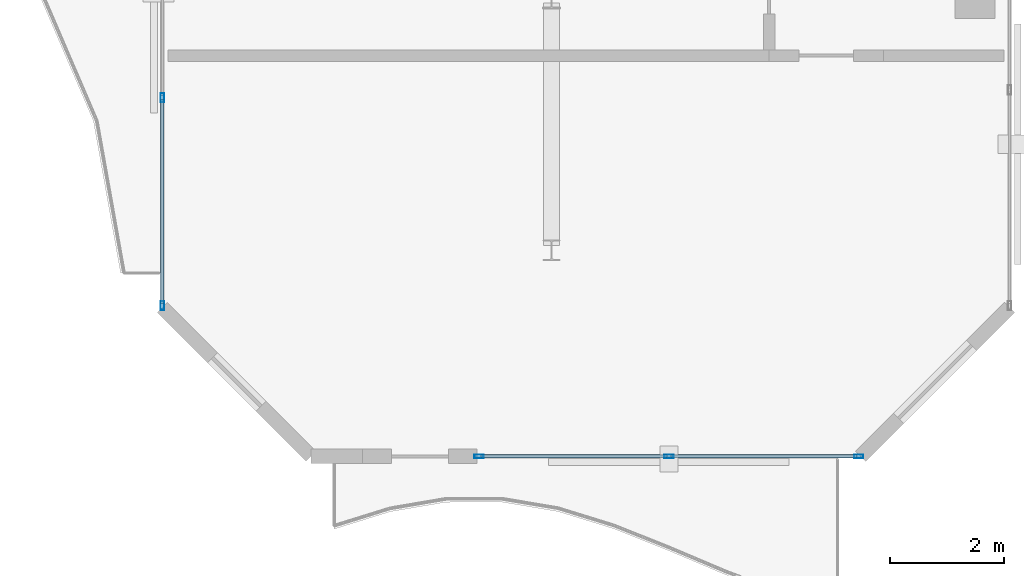
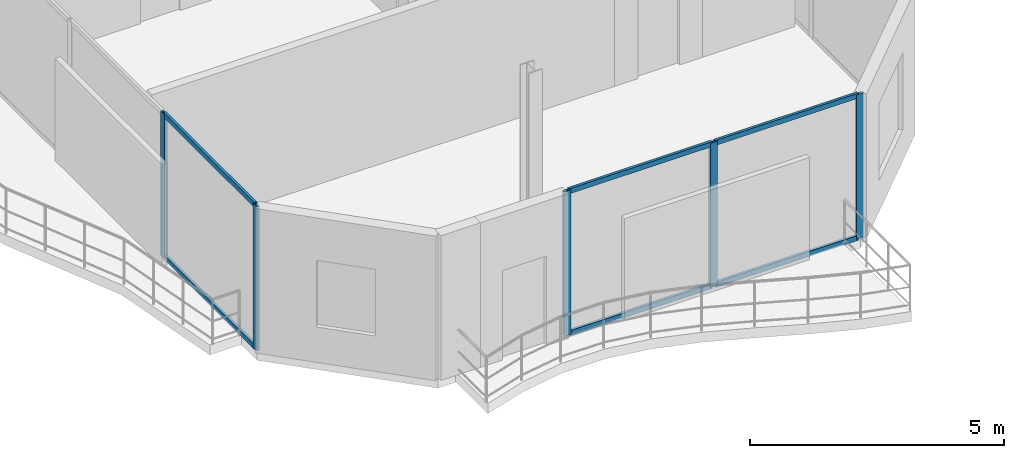
# One storey, part 2 of 16: 11 members, 2 elements without a shape of their own.
"""IFC4 building model written with IfcOpenShell, lengths in metres."""

from ifc_helpers import new_model, si_unit, direction, frame, origin, origin_2d, place, context, subcontext, project, spatial, hollow_rectangle, extrude, material, layer, layer_set, material_profile, profile_set, type_object, element, aggregate, save


model = new_model("IFC4")

# Units and contexts
model_context = context("Model", 3, precision=1e-05, world=origin(), true_north=direction((0.0, 1.0)))
body_context = subcontext(model_context, "Body", "Model", "MODEL_VIEW")
ifc_project = project(units=[si_unit("LENGTHUNIT", "METRE"), si_unit("AREAUNIT", "SQUARE_METRE"), si_unit("VOLUMEUNIT", "CUBIC_METRE"), si_unit("PLANEANGLEUNIT", "RADIAN"), si_unit("MASSUNIT", "GRAM", prefix="KILO")], contexts=[model_context])

# Site, building, storey
site_placement = place(None, origin())
site = spatial("IfcSite", under=ifc_project, at=site_placement, CompositionType="ELEMENT")
building_placement = place(site_placement, origin())
building = spatial("IfcBuilding", under=site, at=building_placement, Name="Catumbela Crestline Tower", CompositionType="ELEMENT")
storey_placement = place(building_placement, frame((0.0, 0.0, 286.8)))
storey = spatial("IfcBuildingStorey", under=building, at=storey_placement, Name="L74", CompositionType="ELEMENT", Elevation=286.8)

# Curtain wall, members
ifc_material = material(Name="Aluminium alloy AW-6060-T66", Category="aluminium")
ifc_layer = layer(ifc_material, 0.18, Name="Aluminium alloy AW-6060-T66")
ifc_layer_set = layer_set([ifc_layer], Name="Aluminium alloy AW-6060-T66")
curtain_wall_type = type_object("IfcCurtainWallType", Name="CWU-Z4", PredefinedType="USERDEFINED", material=ifc_layer_set)
curtain_wall_1_placement = place(storey_placement, origin())
curtain_wall_1 = element("IfcCurtainWall", 1, at=curtain_wall_1_placement, inside=storey, type_object=curtain_wall_type, Name="L74 Unitised Curtain Wall CW-L74-E0S2", ObjectType="UNITISED", PredefinedType="USERDEFINED")
ifc_material_profile_1 = material_profile(ifc_material, hollow_rectangle(XDim=0.06, YDim=0.16, WallThickness=0.004, at=origin_2d()), Name="ALU 160x60x4")
ifc_profile_set_1 = profile_set([ifc_material_profile_1], Name="Aluminium alloy AW-6060-T66")
member_type_1 = type_object("IfcMemberType", Name="MUL-160X60", PredefinedType="MULLION", material=ifc_profile_set_1)
member_1_placement = place(storey_placement, frame((14.7325, 10.0, 0.0), z_axis=(0.0, 0.0, 1.0), x_axis=(0.0, 1.0, 0.0)))
member_1 = element("IfcMember", 2, at=member_1_placement, type_object=member_type_1, Name="CWU-Z4 mullion 1", PredefinedType="MULLION", context=body_context, shape_type="SweptSolid", body=[
    extrude(hollow_rectangle(XDim=0.06, YDim=0.16, WallThickness=0.004, at=origin_2d()), origin(), (0.0, 0.0, 1.0), 3.47),
])
member_2_placement = place(storey_placement, frame((18.05, 10.0, 0.0), z_axis=(0.0, 0.0, 1.0), x_axis=(0.0, 1.0, 0.0)))
member_2 = element("IfcMember", 3, at=member_2_placement, type_object=member_type_1, Name="CWU-Z4 mullion 2", PredefinedType="MULLION", context=body_context, shape_type="SweptSolid", body=[
    extrude(hollow_rectangle(XDim=0.06, YDim=0.16, WallThickness=0.004, at=origin_2d()), origin(), (0.0, 0.0, 1.0), 3.47),
])
member_3_placement = place(storey_placement, frame((21.3675, 10.0, 0.0), z_axis=(0.0, 0.0, 1.0), x_axis=(0.0, 1.0, 0.0)))
member_3 = element("IfcMember", 4, at=member_3_placement, type_object=member_type_1, Name="CWU-Z4 mullion 3", PredefinedType="MULLION", context=body_context, shape_type="SweptSolid", body=[
    extrude(hollow_rectangle(XDim=0.06, YDim=0.16, WallThickness=0.004, at=origin_2d()), origin(), (0.0, 0.0, 1.0), 3.47),
])

curtain_wall_2_placement = place(storey_placement, origin())
curtain_wall_2 = element("IfcCurtainWall", 5, at=curtain_wall_2_placement, inside=storey, type_object=curtain_wall_type, Name="L74 Unitised Curtain Wall CW-L74-E9S2", ObjectType="UNITISED", PredefinedType="USERDEFINED")
member_4_placement = place(storey_placement, frame((9.2, 16.2667, 0.0), z_axis=(0.0, 0.0, 1.0), x_axis=(1.0, 0.0, 0.0)))
member_4 = element("IfcMember", 6, at=member_4_placement, type_object=member_type_1, Name="CWU-Z4 mullion 6", PredefinedType="MULLION", context=body_context, shape_type="SweptSolid", body=[
    extrude(hollow_rectangle(XDim=0.06, YDim=0.16, WallThickness=0.004, at=origin_2d()), origin(), (0.0, 0.0, 1.0), 3.47),
])
member_5_placement = place(storey_placement, frame((9.2, 12.6325, 0.0), z_axis=(0.0, 0.0, 1.0), x_axis=(1.0, 0.0, 0.0)))
member_5 = element("IfcMember", 7, at=member_5_placement, type_object=member_type_1, Name="CWU-Z4 mullion 7", PredefinedType="MULLION", context=body_context, shape_type="SweptSolid", body=[
    extrude(hollow_rectangle(XDim=0.06, YDim=0.16, WallThickness=0.004, at=origin_2d()), origin(), (0.0, 0.0, 1.0), 3.47),
])

# Member
ifc_material_profile_2 = material_profile(ifc_material, hollow_rectangle(XDim=0.06, YDim=0.12, WallThickness=0.0035, at=origin_2d()), Name="ALU 120x60x3.5")
ifc_profile_set_2 = profile_set([ifc_material_profile_2], Name="Aluminium alloy AW-6060-T66")
member_type_2 = type_object("IfcMemberType", Name="TRN-120X60", PredefinedType="USERDEFINED", material=ifc_profile_set_2)
member_6_placement = place(storey_placement, frame((14.765, 10.0, 0.03), z_axis=(1.0, 0.0, 0.0), x_axis=(0.0, 1.0, 0.0)))
member_6 = element("IfcMember", 8, at=member_6_placement, type_object=member_type_2, Name="CWU-Z4 transom 1.1", ObjectType="TRANSOM", PredefinedType="USERDEFINED", context=body_context, shape_type="SweptSolid", body=[
    extrude(hollow_rectangle(XDim=0.06, YDim=0.12, WallThickness=0.0035, at=origin_2d()), origin(), (0.0, 0.0, 1.0), 3.2525),
])

member_7_placement = place(storey_placement, frame((14.765, 10.0, 3.44), z_axis=(1.0, 0.0, 0.0), x_axis=(0.0, 1.0, 0.0)))
member_7 = element("IfcMember", 9, at=member_7_placement, type_object=member_type_2, Name="CWU-Z4 transom 1.2", ObjectType="TRANSOM", PredefinedType="USERDEFINED", context=body_context, shape_type="SweptSolid", body=[
    extrude(hollow_rectangle(XDim=0.06, YDim=0.12, WallThickness=0.0035, at=origin_2d()), origin(), (0.0, 0.0, 1.0), 3.2525),
])

member_8_placement = place(storey_placement, frame((18.0825, 10.0, 0.03), z_axis=(1.0, 0.0, 0.0), x_axis=(0.0, 1.0, 0.0)))
member_8 = element("IfcMember", 10, at=member_8_placement, type_object=member_type_2, Name="CWU-Z4 transom 2.1", ObjectType="TRANSOM", PredefinedType="USERDEFINED", context=body_context, shape_type="SweptSolid", body=[
    extrude(hollow_rectangle(XDim=0.06, YDim=0.12, WallThickness=0.0035, at=origin_2d()), origin(), (0.0, 0.0, 1.0), 3.2525),
])

member_9_placement = place(storey_placement, frame((18.0825, 10.0, 3.44), z_axis=(1.0, 0.0, 0.0), x_axis=(0.0, 1.0, 0.0)))
member_9 = element("IfcMember", 11, at=member_9_placement, type_object=member_type_2, Name="CWU-Z4 transom 2.2", ObjectType="TRANSOM", PredefinedType="USERDEFINED", context=body_context, shape_type="SweptSolid", body=[
    extrude(hollow_rectangle(XDim=0.06, YDim=0.12, WallThickness=0.0035, at=origin_2d()), origin(), (0.0, 0.0, 1.0), 3.2525),
])

aggregate(curtain_wall_1, [member_1, member_2, member_3, member_6, member_7, member_8, member_9])

member_10_placement = place(storey_placement, frame((9.2, 16.2342, 0.03), z_axis=(0.0, -1.0, 0.0), x_axis=(1.0, 0.0, 0.0)))
member_10 = element("IfcMember", 12, at=member_10_placement, type_object=member_type_2, Name="CWU-Z4 transom 6.1", ObjectType="TRANSOM", PredefinedType="USERDEFINED", context=body_context, shape_type="SweptSolid", body=[
    extrude(hollow_rectangle(XDim=0.06, YDim=0.12, WallThickness=0.0035, at=origin_2d()), origin(), (0.0, 0.0, 1.0), 3.5692),
])

member_11_placement = place(storey_placement, frame((9.2, 16.2342, 3.44), z_axis=(0.0, -1.0, 0.0), x_axis=(1.0, 0.0, 0.0)))
member_11 = element("IfcMember", 13, at=member_11_placement, type_object=member_type_2, Name="CWU-Z4 transom 6.2", ObjectType="TRANSOM", PredefinedType="USERDEFINED", context=body_context, shape_type="SweptSolid", body=[
    extrude(hollow_rectangle(XDim=0.06, YDim=0.12, WallThickness=0.0035, at=origin_2d()), origin(), (0.0, 0.0, 1.0), 3.5692),
])

aggregate(curtain_wall_2, [member_4, member_5, member_10, member_11])

save(model, "model.ifc")
